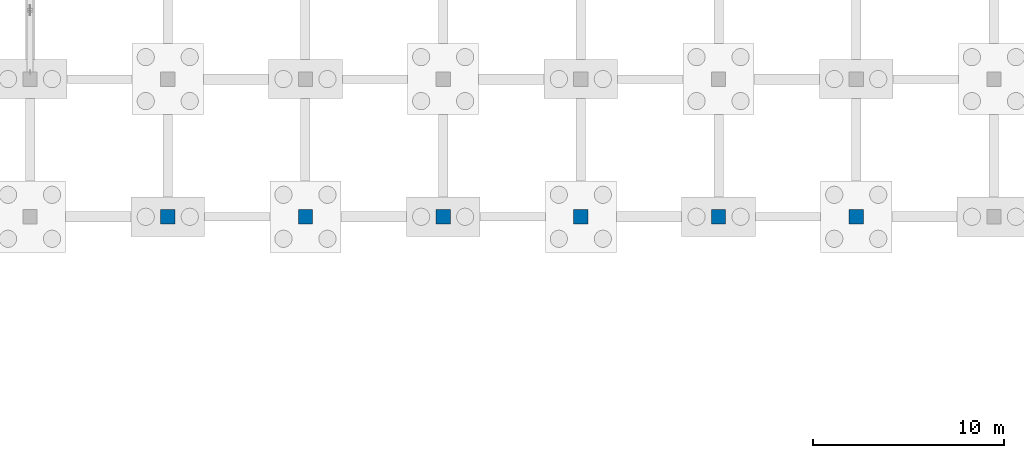
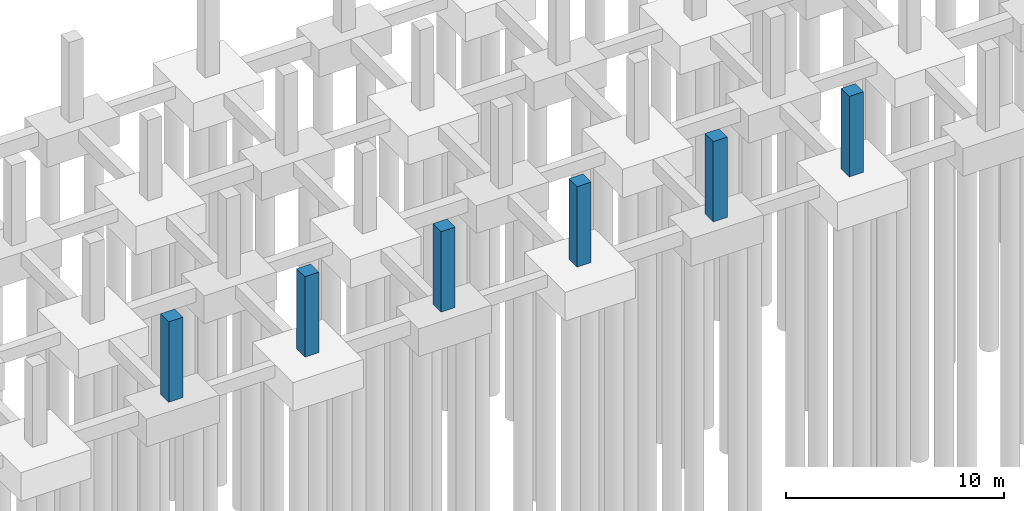
# One storey, part 15 of 36: 6 columns.
"""IFC4 building model written with IfcOpenShell, lengths in metres."""

from ifc_helpers import new_model, si_unit, direction, frame, origin, origin_2d, place, context, subcontext, project, spatial, rectangle, extrude, material, material_profile, profile_set, type_object, element, save


model = new_model("IFC4")

# Units and contexts
model_context = context("Model", 3, precision=1e-05, world=origin(), true_north=direction((0.0, 1.0)))
body_context = subcontext(model_context, "Body", "Model", "MODEL_VIEW")
ifc_project = project(units=[si_unit("LENGTHUNIT", "METRE"), si_unit("AREAUNIT", "SQUARE_METRE"), si_unit("VOLUMEUNIT", "CUBIC_METRE"), si_unit("PLANEANGLEUNIT", "RADIAN"), si_unit("MASSUNIT", "GRAM", prefix="KILO")], contexts=[model_context])

# Site, building, storey
site_placement = place(None, origin())
site = spatial("IfcSite", under=ifc_project, at=site_placement, CompositionType="ELEMENT")
building_placement = place(site_placement, origin())
building = spatial("IfcBuilding", under=site, at=building_placement, Name="Kalmorath City Hall", CompositionType="ELEMENT")
storey_placement = place(building_placement, frame((0.0, 0.0, -4.5)))
storey = spatial("IfcBuildingStorey", under=building, at=storey_placement, Name="B1", CompositionType="ELEMENT", Elevation=-4.5)

# Columns
ifc_material = material(Name="Concrete C50/60", Category="concrete")
ifc_material_profile = material_profile(ifc_material, rectangle(XDim=0.75, YDim=0.75, at=origin_2d()), Name="RC-COL-750X750")
ifc_profile_set = profile_set([ifc_material_profile], Name="Concrete C50/60")
column_type = type_object("IfcColumnType", Name="Concrete column 750x750", PredefinedType="COLUMN", material=ifc_profile_set)
for number, where, z_axis, x_axis, name in (
    (1, (72.0, 93.60009765625, 0.0), (0.0, 0.0, 1.0), (1.0, 0.0, 0.0), "B1 column C3 (11/14)"),
    (2, (79.199951171875, 93.60009765625, 0.0), (0.0, 0.0, 1.0), (1.0, 0.0, 0.0), "B1 column C3 (12/14)"),
    (3, (86.39990234375, 93.60009765625, 0.0), (0.0, 0.0, 1.0), (1.0, 0.0, 0.0), "B1 column C3 (13/14)"),
    (4, (93.60009765625, 93.60009765625, 0.0), (0.0, 0.0, 1.0), (1.0, 0.0, 0.0), "B1 column C3 (14/14)"),
    (5, (100.800048828125, 93.60009765625, 0.0), (0.0, 0.0, 1.0), (1.0, 0.0, 0.0), "B1 column C3 (15/14)"),
    (6, (108.0, 93.60009765625, 0.0), (0.0, 0.0, 1.0), (1.0, 0.0, 0.0), "B1 column C3 (16/14)"),
):
    element("IfcColumn", number, at=place(storey_placement, frame(where, z_axis=z_axis, x_axis=x_axis)), inside=storey, type_object=column_type, Name=name, PredefinedType="COLUMN", context=body_context, shape_type="SweptSolid", body=[
        extrude(rectangle(XDim=0.75, YDim=0.75, at=origin_2d()), origin(), (0.0, 0.0, 1.0), 4.5),
    ])

save(model, "model.ifc")
